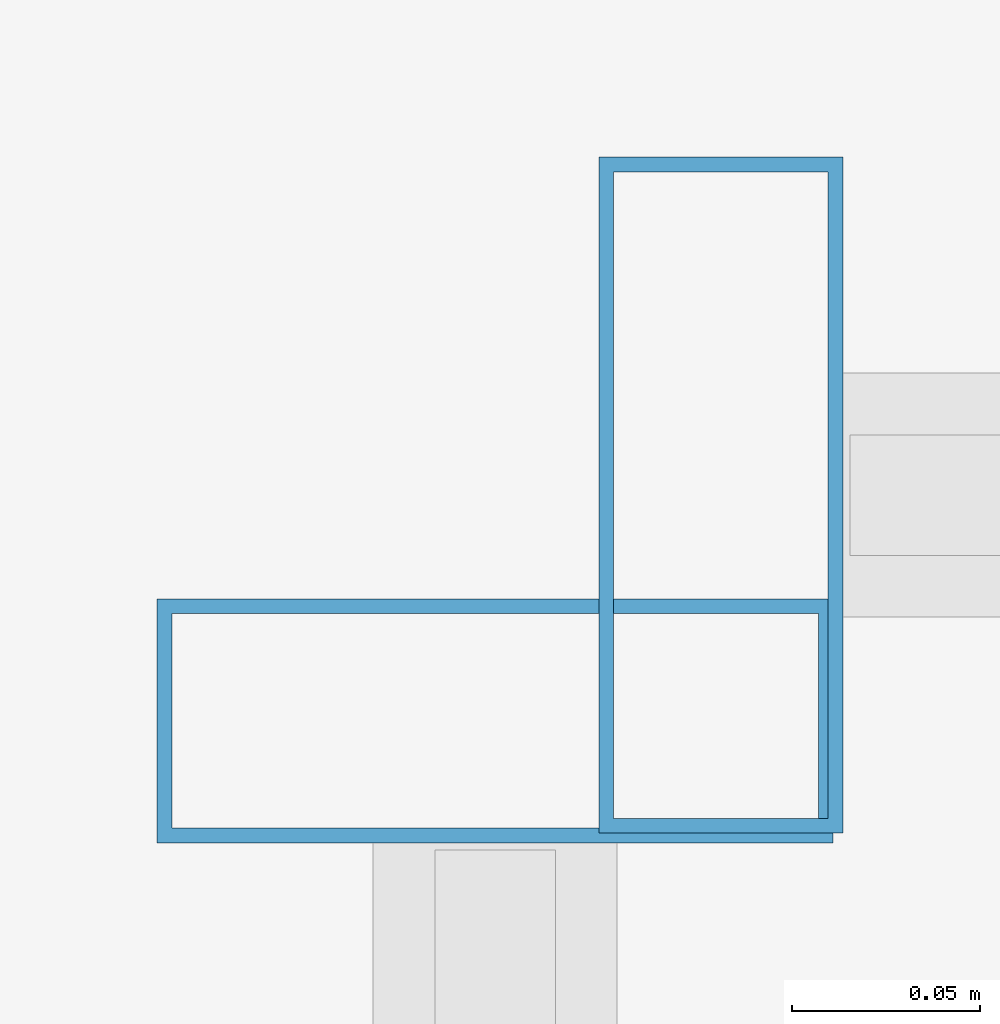
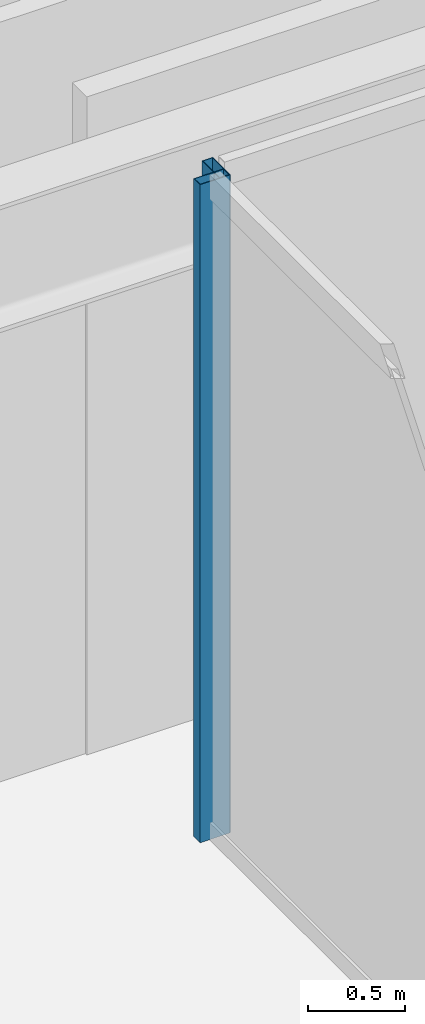
# One storey, part 24 of 47: 2 members, 2 elements without a shape of their own.
"""IFC4 building model written with IfcOpenShell, lengths in metres."""

from ifc_helpers import new_model, si_unit, direction, frame, origin, origin_2d, place, context, subcontext, project, spatial, hollow_rectangle, extrude, material, material_profile, profile_set, type_object, element, aggregate, save


model = new_model("IFC4")

# Units and contexts
model_context = context("Model", 3, precision=1e-05, world=origin(), true_north=direction((0.0, 1.0)))
body_context = subcontext(model_context, "Body", "Model", "MODEL_VIEW")
ifc_project = project(units=[si_unit("LENGTHUNIT", "METRE"), si_unit("AREAUNIT", "SQUARE_METRE"), si_unit("VOLUMEUNIT", "CUBIC_METRE"), si_unit("PLANEANGLEUNIT", "RADIAN"), si_unit("MASSUNIT", "GRAM", prefix="KILO")], contexts=[model_context])

# Site, building, storey
site_placement = place(None, origin())
site = spatial("IfcSite", under=ifc_project, at=site_placement, CompositionType="ELEMENT")
building_placement = place(site_placement, origin())
building = spatial("IfcBuilding", under=site, at=building_placement, Name="Saevonmaru Cultural Tower", CompositionType="ELEMENT")
storey_placement = place(building_placement, frame((0.0, 0.0, 47.199951171875)))
storey = spatial("IfcBuildingStorey", under=building, at=storey_placement, Name="L09", CompositionType="ELEMENT", Elevation=47.199951171875)

# Curtain wall, member
ifc_material = material(Name="Satin Bronze Anodised Aluminium", Category="aluminium")
curtain_wall_type = type_object("IfcCurtainWallType", Name="CW-ATR-GLZ", PredefinedType="NOTDEFINED", material=ifc_material)
curtain_wall_1_placement = place(storey_placement, origin())
curtain_wall_1 = element("IfcCurtainWall", 1, at=curtain_wall_1_placement, inside=storey, type_object=curtain_wall_type, Name="L09 Vertical Atrium Glazed Smoke Screen 3", PredefinedType="NOTDEFINED")
ifc_material_profile = material_profile(ifc_material, hollow_rectangle(XDim=0.06494140625, YDim=0.179931640625, WallThickness=0.00390625, at=origin_2d()), Name="ALU-MULL-180x65x4")
ifc_profile_set = profile_set([ifc_material_profile], Name="Satin Bronze Anodised Aluminium")
member_type = type_object("IfcMemberType", Name="ML-CW-INT-180x65", PredefinedType="MULLION", material=ifc_profile_set)
member_1_placement = place(storey_placement, frame((24.110107421875, 38.18994140625, 0.0), z_axis=(0.0, 0.0, 1.0), x_axis=(-1.0, 0.0, 0.0)))
member_1 = element("IfcMember", 2, at=member_1_placement, type_object=member_type, Name="CW-ATR-L09-3 mullion 2", PredefinedType="MULLION", context=body_context, shape_type="SweptSolid", body=[
    extrude(hollow_rectangle(XDim=0.06494140625, YDim=0.179931640625, WallThickness=0.00390625, at=origin_2d()), origin(), (0.0, 0.0, 1.0), 4.150146484375),
])
aggregate(curtain_wall_1, [member_1])

curtain_wall_2_placement = place(storey_placement, origin())
curtain_wall_2 = element("IfcCurtainWall", 3, at=curtain_wall_2_placement, inside=storey, type_object=curtain_wall_type, Name="L09 Vertical Atrium Glazed Smoke Screen 4", PredefinedType="NOTDEFINED")
member_2_placement = place(storey_placement, frame((24.050048828125, 38.1298828125, 0.0), z_axis=(0.0, 0.0, 1.0), x_axis=(0.0, -1.0, 0.0)))
member_2 = element("IfcMember", 4, at=member_2_placement, type_object=member_type, Name="CW-ATR-L09-4 mullion 1", PredefinedType="MULLION", context=body_context, shape_type="SweptSolid", body=[
    extrude(hollow_rectangle(XDim=0.06494140625, YDim=0.179931640625, WallThickness=0.00390625, at=origin_2d()), origin(), (0.0, 0.0, 1.0), 4.150146484375),
])
aggregate(curtain_wall_2, [member_2])

save(model, "model.ifc")
